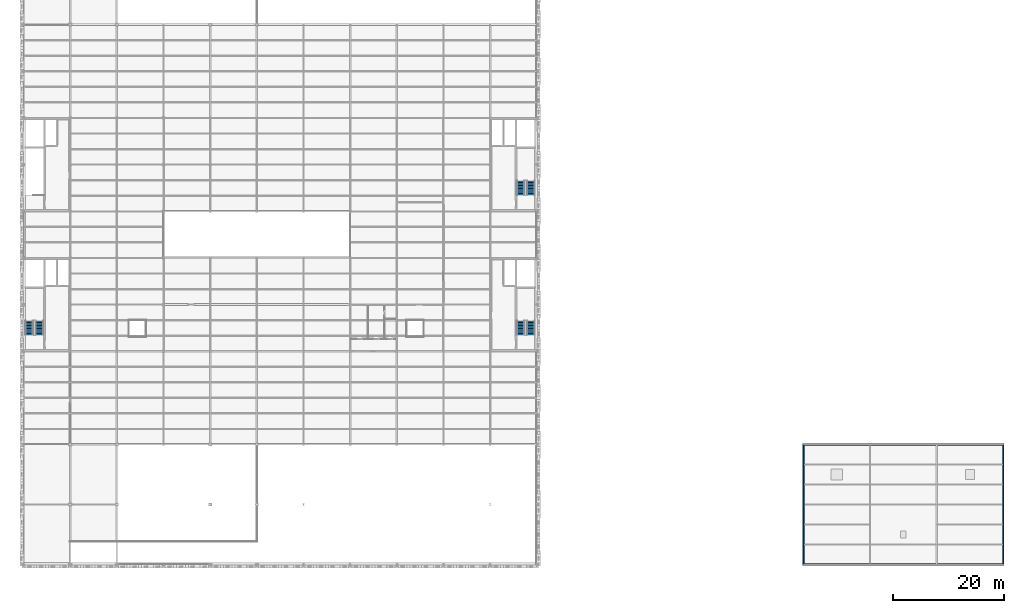
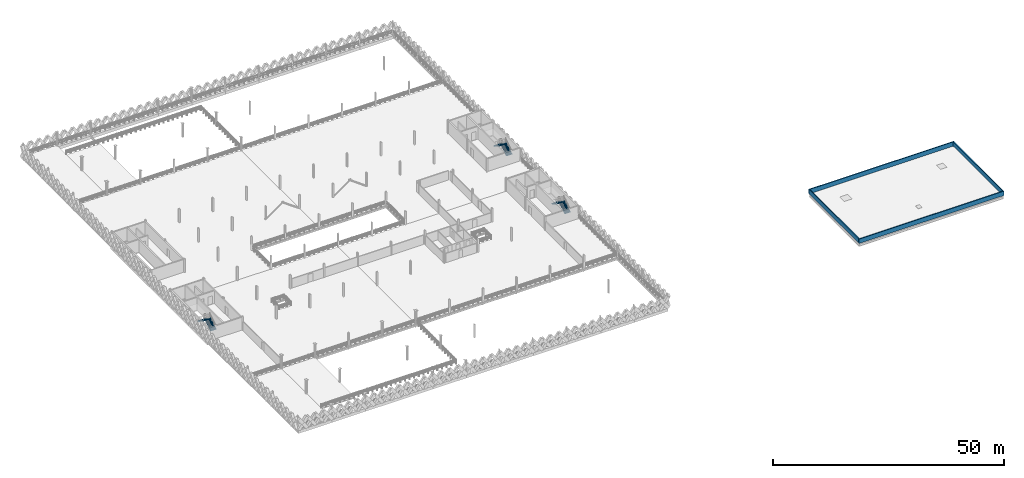
# One storey, part 42 of 47: 6 stair flights, 4 walls, 3 elements without a shape of their own.
"""IFC4 building model written with IfcOpenShell, lengths in metres."""

from ifc_helpers import new_model, si_unit, direction, frame, frame_2d, origin, place, context, subcontext, project, spatial, polyline, rectangle, outline, extrude, material, layer, layer_set, type_object, element, aggregate, save


model = new_model("IFC4")

# Units and contexts
model_context = context("Model", 3, precision=1e-05, world=origin(), true_north=direction((0.0, 1.0)))
body_context = subcontext(model_context, "Body", "Model", "MODEL_VIEW")
ifc_project = project(units=[si_unit("LENGTHUNIT", "METRE"), si_unit("AREAUNIT", "SQUARE_METRE"), si_unit("VOLUMEUNIT", "CUBIC_METRE"), si_unit("PLANEANGLEUNIT", "RADIAN"), si_unit("MASSUNIT", "GRAM", prefix="KILO"), si_unit("THERMODYNAMICTEMPERATUREUNIT", "KELVIN"), si_unit("POWERUNIT", "WATT")], contexts=[model_context])

# Site, building, storey
site_placement = place(None, origin())
site = spatial("IfcSite", under=ifc_project, at=site_placement, CompositionType="ELEMENT")
building_placement = place(site_placement, origin())
building = spatial("IfcBuilding", under=site, at=building_placement, Name="Tembeka Court Mobility Hub", CompositionType="ELEMENT")
storey_placement = place(building_placement, frame((0.0, 0.0, 19.800048828125)))
storey = spatial("IfcBuildingStorey", under=building, at=storey_placement, Name="L05", CompositionType="ELEMENT", Elevation=19.800048828125)

# Walls
ifc_material_1 = material(Name="Precast concrete C45/55", Category="concrete")
ifc_layer = layer(ifc_material_1, 0.219970703125)
ifc_layer_set = layer_set([ifc_layer], Name="Precast concrete C45/55")
wall_type = type_object("IfcWallType", Name="WL-PP01", PredefinedType="PARAPET", material=ifc_layer_set)
wall_1_placement = place(storey_placement, frame((140.2900390625, 0.0, 0.0), z_axis=(0.0, 0.0, 1.0), x_axis=(1.0, 0.0, 0.0)))
element("IfcWall", 1, at=wall_1_placement, inside=storey, type_object=wall_type, Name="Roof parapet wall PP01-05", PredefinedType="PARAPET", context=body_context, shape_type="SweptSolid", body=[
    extrude(rectangle(XDim=36.219970703125, YDim=0.219970703125, at=frame_2d((18.10986328125, 0.0))), origin(), (0.0, 0.0, 1.0), 1.14990234375),
])
wall_2_placement = place(storey_placement, frame((176.39990234375, 0.114990234375, 0.0), z_axis=(0.0, 0.0, 1.0), x_axis=(0.0, 1.0, 0.0)))
element("IfcWall", 2, at=wall_2_placement, inside=storey, type_object=wall_type, Name="Roof parapet wall PP01-06", PredefinedType="PARAPET", context=body_context, shape_type="SweptSolid", body=[
    extrude(rectangle(XDim=21.3701171875, YDim=0.219970703125, at=frame_2d((10.68505859375, 0.0))), origin(), (0.0, 0.0, 1.0), 1.14990234375),
])
wall_3_placement = place(storey_placement, frame((176.510009765625, 21.60009765625, 0.0), z_axis=(0.0, 0.0, 1.0), x_axis=(-1.0, 0.0, 0.0)))
element("IfcWall", 3, at=wall_3_placement, inside=storey, type_object=wall_type, Name="Roof parapet wall PP01-07", PredefinedType="PARAPET", context=body_context, shape_type="SweptSolid", body=[
    extrude(rectangle(XDim=36.219970703125, YDim=0.219970703125, at=frame_2d((18.10986328125, 0.0))), origin(), (0.0, 0.0, 1.0), 1.14990234375),
])
wall_4_placement = place(storey_placement, frame((140.39990234375, 21.485107421875, 0.0), z_axis=(0.0, 0.0, 1.0), x_axis=(0.0, -1.0, 0.0)))
element("IfcWall", 4, at=wall_4_placement, inside=storey, type_object=wall_type, Name="Roof parapet wall PP01-08", PredefinedType="PARAPET", context=body_context, shape_type="SweptSolid", body=[
    extrude(rectangle(XDim=21.3701171875, YDim=0.219970703125, at=frame_2d((10.68505859375, 0.0))), origin(), (0.0, 0.0, 1.0), 1.14990234375),
])

# Stair, stair flights
ifc_material_2 = material(Name="Concrete C40/50", Category="concrete")
stair_type_1 = type_object("IfcStairType", Name="STR-ST01L05", PredefinedType="HALF_TURN_STAIR", material=ifc_material_2)
stair_1_placement = place(storey_placement, origin())
stair_1 = element("IfcStair", 5, at=stair_1_placement, inside=storey, type_object=stair_type_1, Name="Protected exit stair ST01 (L05)", PredefinedType="HALF_TURN_STAIR")
stair_flight_type_1 = type_object("IfcStairFlightType", Name="STF-ST01L05F1", PredefinedType="STRAIGHT", material=ifc_material_2)
stair_flight_1_placement = place(storey_placement, frame((2.875, 41.35009765625, 0.0), z_axis=(0.0, 0.0, 1.0), x_axis=(0.0, 1.0, 0.0)))
stair_flight_1 = element("IfcStairFlight", 6, at=stair_flight_1_placement, type_object=stair_flight_type_1, Name="ST01L05 flight 1", NumberOfRisers=10, NumberOfTreads=9, PredefinedType="STRAIGHT", RiserHeight=0.18, TreadLength=0.28, context=body_context, shape_type="SweptSolid", body=[
    extrude(outline(polyline([(0.0, 0.0), (0.0, 0.179931640625), (0.280029296875, 0.179931640625), (0.280029296875, 0.360107421875), (0.56005859375, 0.360107421875), (0.56005859375, 0.5400390625), (0.840087890625, 0.5400390625), (0.840087890625, 0.719970703125), (1.1201171875, 0.719970703125), (1.1201171875, 0.89990234375), (1.39990234375, 0.89990234375), (1.39990234375, 1.080078125), (1.679931640625, 1.080078125), (1.679931640625, 1.260009765625), (1.9599609375, 1.260009765625), (1.9599609375, 1.43994140625), (2.239990234375, 1.43994140625), (2.239990234375, 1.6201171875), (2.52001953125, 1.6201171875), (2.52001953125, 1.800048828125), (2.52001953125, 1.44189453125), (0.277099609375, 0.0), (0.0, 0.0)])), frame((0.0, 0.72509765625, 0.0), z_axis=(0.0, -1.0, 0.0), x_axis=(1.0, 0.0, 0.0)), (0.0, 0.0, 1.0), 1.449951171875),
])
stair_flight_type_2 = type_object("IfcStairFlightType", Name="STF-ST01L05F2", PredefinedType="STRAIGHT", material=ifc_material_2)
stair_flight_2_placement = place(storey_placement, frame((1.02490234375, 43.8701171875, 1.800048828125), z_axis=(0.0, 0.0, 1.0), x_axis=(0.0, -1.0, 0.0)))
stair_flight_2 = element("IfcStairFlight", 7, at=stair_flight_2_placement, type_object=stair_flight_type_2, Name="ST01L05 flight 2", NumberOfRisers=10, NumberOfTreads=9, PredefinedType="STRAIGHT", RiserHeight=0.18, TreadLength=0.28, context=body_context, shape_type="SweptSolid", body=[
    extrude(outline(polyline([(0.0, 0.0), (0.0, 0.179931640625), (0.280029296875, 0.179931640625), (0.280029296875, 0.360107421875), (0.56005859375, 0.360107421875), (0.56005859375, 0.5400390625), (0.840087890625, 0.5400390625), (0.840087890625, 0.719970703125), (1.1201171875, 0.719970703125), (1.1201171875, 0.89990234375), (1.39990234375, 0.89990234375), (1.39990234375, 1.080078125), (1.679931640625, 1.080078125), (1.679931640625, 1.260009765625), (1.9599609375, 1.260009765625), (1.9599609375, 1.43994140625), (2.239990234375, 1.43994140625), (2.239990234375, 1.6201171875), (2.52001953125, 1.6201171875), (2.52001953125, 1.800048828125), (2.52001953125, 1.44189453125), (0.277099609375, 0.0), (0.0, 0.0)])), frame((0.0, 0.72509765625, 0.0), z_axis=(0.0, -1.0, 0.0), x_axis=(1.0, 0.0, 0.0)), (0.0, 0.0, 1.0), 1.449951171875),
])
aggregate(stair_1, [stair_flight_1, stair_flight_2])

stair_type_2 = type_object("IfcStairType", Name="STR-ST02L05", PredefinedType="HALF_TURN_STAIR", material=ifc_material_2)
stair_2_placement = place(storey_placement, origin())
stair_2 = element("IfcStair", 8, at=stair_2_placement, inside=storey, type_object=stair_type_2, Name="Protected exit stair ST02 (L05)", PredefinedType="HALF_TURN_STAIR")
stair_flight_type_3 = type_object("IfcStairFlightType", Name="STF-ST02L05F1", PredefinedType="STRAIGHT", material=ifc_material_2)
stair_flight_3_placement = place(storey_placement, frame((91.375, 66.550048828125, 0.0), z_axis=(0.0, 0.0, 1.0), x_axis=(0.0, 1.0, 0.0)))
stair_flight_3 = element("IfcStairFlight", 9, at=stair_flight_3_placement, type_object=stair_flight_type_3, Name="ST02L05 flight 1", NumberOfRisers=10, NumberOfTreads=9, PredefinedType="STRAIGHT", RiserHeight=0.18, TreadLength=0.28, context=body_context, shape_type="SweptSolid", body=[
    extrude(outline(polyline([(0.0, 0.0), (0.0, 0.179931640625), (0.280029296875, 0.179931640625), (0.280029296875, 0.360107421875), (0.56005859375, 0.360107421875), (0.56005859375, 0.5400390625), (0.840087890625, 0.5400390625), (0.840087890625, 0.719970703125), (1.1201171875, 0.719970703125), (1.1201171875, 0.89990234375), (1.39990234375, 0.89990234375), (1.39990234375, 1.080078125), (1.679931640625, 1.080078125), (1.679931640625, 1.260009765625), (1.9599609375, 1.260009765625), (1.9599609375, 1.43994140625), (2.239990234375, 1.43994140625), (2.239990234375, 1.6201171875), (2.52001953125, 1.6201171875), (2.52001953125, 1.800048828125), (2.52001953125, 1.44189453125), (0.277099609375, 0.0), (0.0, 0.0)])), frame((0.0, 0.72509765625, 0.0), z_axis=(0.0, -1.0, 0.0), x_axis=(1.0, 0.0, 0.0)), (0.0, 0.0, 1.0), 1.449951171875),
])
stair_flight_type_4 = type_object("IfcStairFlightType", Name="STF-ST02L05F2", PredefinedType="STRAIGHT", material=ifc_material_2)
stair_flight_4_placement = place(storey_placement, frame((89.52490234375, 69.070068359375, 1.800048828125), z_axis=(0.0, 0.0, 1.0), x_axis=(0.0, -1.0, 0.0)))
stair_flight_4 = element("IfcStairFlight", 10, at=stair_flight_4_placement, type_object=stair_flight_type_4, Name="ST02L05 flight 2", NumberOfRisers=10, NumberOfTreads=9, PredefinedType="STRAIGHT", RiserHeight=0.18, TreadLength=0.28, context=body_context, shape_type="SweptSolid", body=[
    extrude(outline(polyline([(0.0, 0.0), (0.0, 0.179931640625), (0.280029296875, 0.179931640625), (0.280029296875, 0.360107421875), (0.56005859375, 0.360107421875), (0.56005859375, 0.5400390625), (0.840087890625, 0.5400390625), (0.840087890625, 0.719970703125), (1.1201171875, 0.719970703125), (1.1201171875, 0.89990234375), (1.39990234375, 0.89990234375), (1.39990234375, 1.080078125), (1.679931640625, 1.080078125), (1.679931640625, 1.260009765625), (1.9599609375, 1.260009765625), (1.9599609375, 1.43994140625), (2.239990234375, 1.43994140625), (2.239990234375, 1.6201171875), (2.52001953125, 1.6201171875), (2.52001953125, 1.800048828125), (2.52001953125, 1.44189453125), (0.277099609375, 0.0), (0.0, 0.0)])), frame((0.0, 0.72509765625, 0.0), z_axis=(0.0, -1.0, 0.0), x_axis=(1.0, 0.0, 0.0)), (0.0, 0.0, 1.0), 1.449951171875),
])
aggregate(stair_2, [stair_flight_3, stair_flight_4])

stair_type_3 = type_object("IfcStairType", Name="STR-ST04L05", PredefinedType="HALF_TURN_STAIR", material=ifc_material_2)
stair_3_placement = place(storey_placement, origin())
stair_3 = element("IfcStair", 11, at=stair_3_placement, inside=storey, type_object=stair_type_3, Name="Protected exit stair ST04 (L05)", PredefinedType="HALF_TURN_STAIR")
stair_flight_type_5 = type_object("IfcStairFlightType", Name="STF-ST04L05F1", PredefinedType="STRAIGHT", material=ifc_material_2)
stair_flight_5_placement = place(storey_placement, frame((91.375, 41.35009765625, 0.0), z_axis=(0.0, 0.0, 1.0), x_axis=(0.0, 1.0, 0.0)))
stair_flight_5 = element("IfcStairFlight", 12, at=stair_flight_5_placement, type_object=stair_flight_type_5, Name="ST04L05 flight 1", NumberOfRisers=10, NumberOfTreads=9, PredefinedType="STRAIGHT", RiserHeight=0.18, TreadLength=0.28, context=body_context, shape_type="SweptSolid", body=[
    extrude(outline(polyline([(0.0, 0.0), (0.0, 0.179931640625), (0.280029296875, 0.179931640625), (0.280029296875, 0.360107421875), (0.56005859375, 0.360107421875), (0.56005859375, 0.5400390625), (0.840087890625, 0.5400390625), (0.840087890625, 0.719970703125), (1.1201171875, 0.719970703125), (1.1201171875, 0.89990234375), (1.39990234375, 0.89990234375), (1.39990234375, 1.080078125), (1.679931640625, 1.080078125), (1.679931640625, 1.260009765625), (1.9599609375, 1.260009765625), (1.9599609375, 1.43994140625), (2.239990234375, 1.43994140625), (2.239990234375, 1.6201171875), (2.52001953125, 1.6201171875), (2.52001953125, 1.800048828125), (2.52001953125, 1.44189453125), (0.277099609375, 0.0), (0.0, 0.0)])), frame((0.0, 0.72509765625, 0.0), z_axis=(0.0, -1.0, 0.0), x_axis=(1.0, 0.0, 0.0)), (0.0, 0.0, 1.0), 1.449951171875),
])
stair_flight_type_6 = type_object("IfcStairFlightType", Name="STF-ST04L05F2", PredefinedType="STRAIGHT", material=ifc_material_2)
stair_flight_6_placement = place(storey_placement, frame((89.52490234375, 43.8701171875, 1.800048828125), z_axis=(0.0, 0.0, 1.0), x_axis=(0.0, -1.0, 0.0)))
stair_flight_6 = element("IfcStairFlight", 13, at=stair_flight_6_placement, type_object=stair_flight_type_6, Name="ST04L05 flight 2", NumberOfRisers=10, NumberOfTreads=9, PredefinedType="STRAIGHT", RiserHeight=0.18, TreadLength=0.28, context=body_context, shape_type="SweptSolid", body=[
    extrude(outline(polyline([(0.0, 0.0), (0.0, 0.179931640625), (0.280029296875, 0.179931640625), (0.280029296875, 0.360107421875), (0.56005859375, 0.360107421875), (0.56005859375, 0.5400390625), (0.840087890625, 0.5400390625), (0.840087890625, 0.719970703125), (1.1201171875, 0.719970703125), (1.1201171875, 0.89990234375), (1.39990234375, 0.89990234375), (1.39990234375, 1.080078125), (1.679931640625, 1.080078125), (1.679931640625, 1.260009765625), (1.9599609375, 1.260009765625), (1.9599609375, 1.43994140625), (2.239990234375, 1.43994140625), (2.239990234375, 1.6201171875), (2.52001953125, 1.6201171875), (2.52001953125, 1.800048828125), (2.52001953125, 1.44189453125), (0.277099609375, 0.0), (0.0, 0.0)])), frame((0.0, 0.72509765625, 0.0), z_axis=(0.0, -1.0, 0.0), x_axis=(1.0, 0.0, 0.0)), (0.0, 0.0, 1.0), 1.449951171875),
])
aggregate(stair_3, [stair_flight_5, stair_flight_6])

save(model, "model.ifc")
